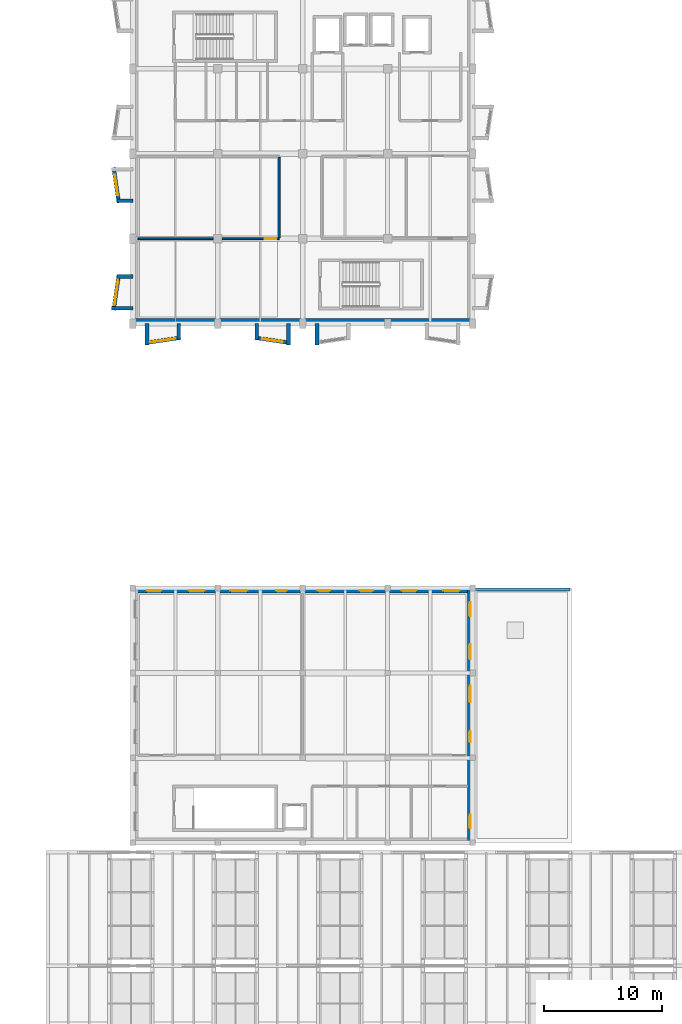
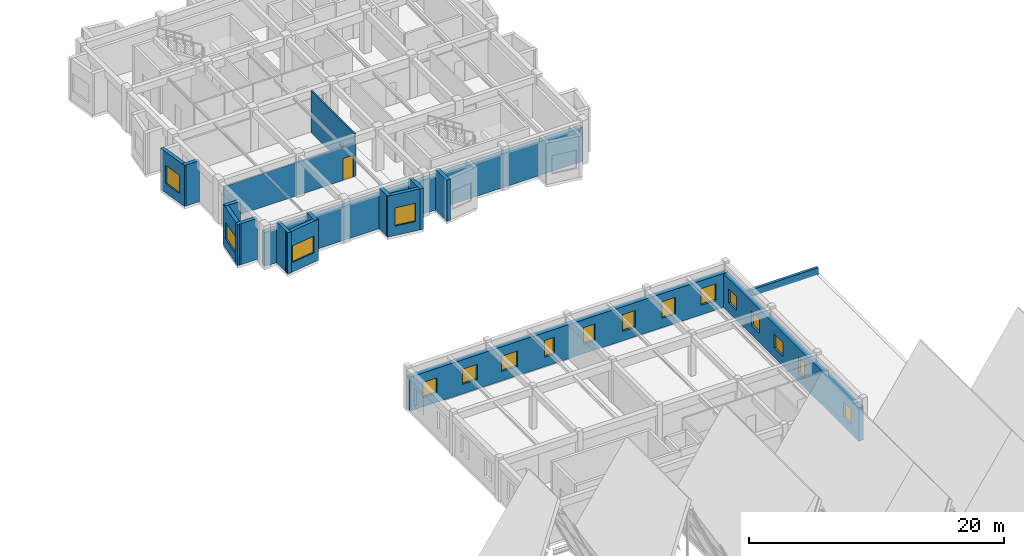
# One storey, part 89 of 99: 18 walls, 17 windows, 1 door, 18 openings.
"""IFC4 building model written with IfcOpenShell, lengths in metres."""

from ifc_helpers import new_model, si_unit, direction, frame, frame_2d, origin, place, context, subcontext, project, spatial, rectangle, extrude, material, layer, layer_set, type_object, element, fill, save


model = new_model("IFC4")

# Units and contexts
model_context = context("Model", 3, precision=1e-05, world=origin(), true_north=direction((0.0, 1.0)))
body_context = subcontext(model_context, "Body", "Model", "MODEL_VIEW")
ifc_project = project(units=[si_unit("LENGTHUNIT", "METRE"), si_unit("AREAUNIT", "SQUARE_METRE"), si_unit("VOLUMEUNIT", "CUBIC_METRE"), si_unit("PLANEANGLEUNIT", "RADIAN"), si_unit("MASSUNIT", "GRAM", prefix="KILO")], contexts=[model_context])

# Site, building, storey
site_placement = place(None, origin())
site = spatial("IfcSite", under=ifc_project, at=site_placement, CompositionType="ELEMENT")
building_placement = place(site_placement, origin())
building = spatial("IfcBuilding", under=site, at=building_placement, Name="Bramveld Media Centre", CompositionType="ELEMENT")
storey_placement = place(building_placement, frame((0.0, 0.0, 13.800048828125)))
storey = spatial("IfcBuildingStorey", under=building, at=storey_placement, Name="L03", CompositionType="ELEMENT", Elevation=13.800048828125)

# Wall, openings, windows
ifc_material_1 = material(Name="Flemish red-brown clay facing brick cavity wall with concrete C35/45 inner leaf", Category="masonry")
ifc_layer_1 = layer(ifc_material_1, 0.419921875)
ifc_layer_set_1 = layer_set([ifc_layer_1], Name="Flemish red-brown clay facing brick cavity wall with concrete C35/45 inner leaf")
wall_type_1 = type_object("IfcWallType", Name="EW-BRK-420", PredefinedType="SOLIDWALL", material=ifc_layer_set_1)
wall_1_placement = place(storey_placement, frame((159.7900390625, 60.800048828125, 0.0), z_axis=(0.0, 0.0, 1.0), x_axis=(0.0, -1.0, 0.0)))
wall_1 = element("IfcWall", 1, at=wall_1_placement, inside=storey, type_object=wall_type_1, Name="V4 L03 E facing brick exterior wall", PredefinedType="SOLIDWALL", context=body_context, shape_type="SweptSolid", body=[
    extrude(rectangle(XDim=21.60009765625, YDim=0.419921875, at=frame_2d((10.800048828125, 0.0))), origin(), (0.0, 0.0, 1.0), 3.21484375),
])
opening_1_placement = place(wall_1_placement, frame((1.199951171875, 0.0, 0.89990234375)))
opening_1 = element("IfcOpeningElement", 2, at=opening_1_placement, cuts=wall_1, Name="Opening W-04", PredefinedType="OPENING", context=body_context, shape_type="SweptSolid", body=[
    extrude(rectangle(XDim=1.199951171875, YDim=1.35009765625, at=frame_2d((0.60009765625, 0.675048828125))), frame((0.0, 0.221923828125, 0.0), z_axis=(0.0, -1.0, 0.0), x_axis=(1.0, 0.0, 0.0)), (0.0, 0.0, 1.0), 0.44384765625),
])
opening_2_placement = place(wall_1_placement, frame((4.75, 0.0, 0.89990234375)))
opening_2 = element("IfcOpeningElement", 3, at=opening_2_placement, cuts=wall_1, Name="Opening W-05", PredefinedType="OPENING", context=body_context, shape_type="SweptSolid", body=[
    extrude(rectangle(XDim=1.300048828125, YDim=1.35009765625, at=frame_2d((0.64990234375, 0.675048828125))), frame((0.0, 0.221923828125, 0.0), z_axis=(0.0, -1.0, 0.0), x_axis=(1.0, 0.0, 0.0)), (0.0, 0.0, 1.0), 0.44384765625),
])
opening_3_placement = place(wall_1_placement, frame((8.300048828125, 0.0, 0.89990234375)))
opening_3 = element("IfcOpeningElement", 4, at=opening_3_placement, cuts=wall_1, Name="Opening W-06", PredefinedType="OPENING", context=body_context, shape_type="SweptSolid", body=[
    extrude(rectangle(XDim=1.39990234375, YDim=1.35009765625, at=frame_2d((0.699951171875, 0.675048828125))), frame((0.0, 0.221923828125, 0.0), z_axis=(0.0, -1.0, 0.0), x_axis=(1.0, 0.0, 0.0)), (0.0, 0.0, 1.0), 0.44384765625),
])
opening_4_placement = place(wall_1_placement, frame((12.125, 0.0, 0.89990234375)))
opening_4 = element("IfcOpeningElement", 5, at=opening_4_placement, cuts=wall_1, Name="Opening W-07", PredefinedType="OPENING", context=body_context, shape_type="SweptSolid", body=[
    extrude(rectangle(XDim=0.949951171875, YDim=1.449951171875, at=frame_2d((0.47509765625, 0.72509765625))), frame((0.0, 0.221923828125, 0.0), z_axis=(0.0, -1.0, 0.0), x_axis=(1.0, 0.0, 0.0)), (0.0, 0.0, 1.0), 0.44384765625),
])
opening_5_placement = place(wall_1_placement, frame((19.22509765625, 0.0, 0.89990234375)))
opening_5 = element("IfcOpeningElement", 6, at=opening_5_placement, cuts=wall_1, Name="Opening W-09", PredefinedType="OPENING", context=body_context, shape_type="SweptSolid", body=[
    extrude(rectangle(XDim=1.14990234375, YDim=1.449951171875, at=frame_2d((0.574951171875, 0.72509765625))), frame((0.0, 0.221923828125, 0.0), z_axis=(0.0, -1.0, 0.0), x_axis=(1.0, 0.0, 0.0)), (0.0, 0.0, 1.0), 0.44384765625),
])
ifc_material_2 = material(Name="Thermally broken anodized bronze aluminium frame with triple acoustic glazing", Category="aluminium")
window_type_1 = type_object("IfcWindowType", Name="WIN-FAC-04", PartitioningType="SINGLE_PANEL", PredefinedType="WINDOW", material=ifc_material_2)
window_1_placement = place(opening_1_placement, origin())
window_1 = element("IfcWindow", 7, at=window_1_placement, inside=storey, type_object=window_type_1, Name="V4 L03 E acoustic facade window", OverallHeight=1.35009765625, OverallWidth=1.199951171875, PartitioningType="SINGLE_PANEL", PredefinedType="WINDOW", context=body_context, shape_type="SweptSolid", body=[
    extrude(rectangle(XDim=1.199951171875, YDim=1.35009765625, at=frame_2d((0.60009765625, 0.675048828125))), frame((0.0, 0.030029296875, 0.0), z_axis=(0.0, -1.0, 0.0), x_axis=(1.0, 0.0, 0.0)), (0.0, 0.0, 1.0), 0.06005859375),
])
fill(opening_1, window_1)
ifc_material_3 = material(Name="Thermally broken anodized bronze aluminium frame with triple acoustic glazing", Category="aluminium")
window_type_2 = type_object("IfcWindowType", Name="WIN-FAC-05", PartitioningType="SINGLE_PANEL", PredefinedType="WINDOW", material=ifc_material_3)
window_2_placement = place(opening_2_placement, origin())
window_2 = element("IfcWindow", 8, at=window_2_placement, inside=storey, type_object=window_type_2, Name="V4 L03 E acoustic facade window", OverallHeight=1.35009765625, OverallWidth=1.300048828125, PartitioningType="SINGLE_PANEL", PredefinedType="WINDOW", context=body_context, shape_type="SweptSolid", body=[
    extrude(rectangle(XDim=1.300048828125, YDim=1.35009765625, at=frame_2d((0.64990234375, 0.675048828125))), frame((0.0, 0.030029296875, 0.0), z_axis=(0.0, -1.0, 0.0), x_axis=(1.0, 0.0, 0.0)), (0.0, 0.0, 1.0), 0.06005859375),
])
fill(opening_2, window_2)
ifc_material_4 = material(Name="Thermally broken anodized bronze aluminium frame with triple acoustic glazing", Category="aluminium")
window_type_3 = type_object("IfcWindowType", Name="WIN-FAC-06", PartitioningType="SINGLE_PANEL", PredefinedType="WINDOW", material=ifc_material_4)
window_3_placement = place(opening_3_placement, origin())
window_3 = element("IfcWindow", 9, at=window_3_placement, inside=storey, type_object=window_type_3, Name="V4 L03 E acoustic facade window", OverallHeight=1.35009765625, OverallWidth=1.39990234375, PartitioningType="SINGLE_PANEL", PredefinedType="WINDOW", context=body_context, shape_type="SweptSolid", body=[
    extrude(rectangle(XDim=1.39990234375, YDim=1.35009765625, at=frame_2d((0.699951171875, 0.675048828125))), frame((0.0, 0.030029296875, 0.0), z_axis=(0.0, -1.0, 0.0), x_axis=(1.0, 0.0, 0.0)), (0.0, 0.0, 1.0), 0.06005859375),
])
fill(opening_3, window_3)
ifc_material_5 = material(Name="Thermally broken anodized bronze aluminium frame with triple acoustic glazing", Category="aluminium")
window_type_4 = type_object("IfcWindowType", Name="WIN-FAC-07", PartitioningType="SINGLE_PANEL", PredefinedType="WINDOW", material=ifc_material_5)
window_4_placement = place(opening_4_placement, origin())
window_4 = element("IfcWindow", 10, at=window_4_placement, inside=storey, type_object=window_type_4, Name="V4 L03 E acoustic facade window", OverallHeight=1.449951171875, OverallWidth=0.949951171875, PartitioningType="SINGLE_PANEL", PredefinedType="WINDOW", context=body_context, shape_type="SweptSolid", body=[
    extrude(rectangle(XDim=0.949951171875, YDim=1.449951171875, at=frame_2d((0.47509765625, 0.72509765625))), frame((0.0, 0.030029296875, 0.0), z_axis=(0.0, -1.0, 0.0), x_axis=(1.0, 0.0, 0.0)), (0.0, 0.0, 1.0), 0.06005859375),
])
fill(opening_4, window_4)
ifc_material_6 = material(Name="Thermally broken anodized bronze aluminium frame with triple acoustic glazing", Category="aluminium")
window_type_5 = type_object("IfcWindowType", Name="WIN-FAC-09", PartitioningType="SINGLE_PANEL", PredefinedType="WINDOW", material=ifc_material_6)
window_5_placement = place(opening_5_placement, origin())
window_5 = element("IfcWindow", 11, at=window_5_placement, inside=storey, type_object=window_type_5, Name="V4 L03 E acoustic facade window", OverallHeight=1.449951171875, OverallWidth=1.14990234375, PartitioningType="SINGLE_PANEL", PredefinedType="WINDOW", context=body_context, shape_type="SweptSolid", body=[
    extrude(rectangle(XDim=1.14990234375, YDim=1.449951171875, at=frame_2d((0.574951171875, 0.72509765625))), frame((0.0, 0.030029296875, 0.0), z_axis=(0.0, -1.0, 0.0), x_axis=(1.0, 0.0, 0.0)), (0.0, 0.0, 1.0), 0.06005859375),
])
fill(opening_5, window_5)

wall_2_placement = place(storey_placement, frame((131.199951171875, 60.590087890625, 0.0), z_axis=(0.0, 0.0, 1.0), x_axis=(1.0, 0.0, 0.0)))
wall_2 = element("IfcWall", 12, at=wall_2_placement, inside=storey, type_object=wall_type_1, Name="V4 L03 N facing brick exterior wall", PredefinedType="SOLIDWALL", context=body_context, shape_type="SweptSolid", body=[
    extrude(rectangle(XDim=28.800048828125, YDim=0.419921875, at=frame_2d((14.39990234375, 0.0))), origin(), (0.0, 0.0, 1.0), 3.2548828125),
])
opening_6_placement = place(wall_2_placement, frame((1.175048828125, 0.0, 0.89990234375)))
opening_6 = element("IfcOpeningElement", 13, at=opening_6_placement, cuts=wall_2, Name="Opening W-10", PredefinedType="OPENING", context=body_context, shape_type="SweptSolid", body=[
    extrude(rectangle(XDim=1.25, YDim=1.449951171875, at=frame_2d((0.625, 0.72509765625))), frame((0.0, 0.221923828125, 0.0), z_axis=(0.0, -1.0, 0.0), x_axis=(1.0, 0.0, 0.0)), (0.0, 0.0, 1.0), 0.44384765625),
])
opening_7_placement = place(wall_2_placement, frame((4.72509765625, 0.0, 0.89990234375)))
opening_7 = element("IfcOpeningElement", 14, at=opening_7_placement, cuts=wall_2, Name="Opening W-11", PredefinedType="OPENING", context=body_context, shape_type="SweptSolid", body=[
    extrude(rectangle(XDim=1.35009765625, YDim=1.449951171875, at=frame_2d((0.675048828125, 0.72509765625))), frame((0.0, 0.221923828125, 0.0), z_axis=(0.0, -1.0, 0.0), x_axis=(1.0, 0.0, 0.0)), (0.0, 0.0, 1.0), 0.44384765625),
])
opening_8_placement = place(wall_2_placement, frame((8.27490234375, 0.0, 0.89990234375)))
opening_8 = element("IfcOpeningElement", 15, at=opening_8_placement, cuts=wall_2, Name="Opening W-12", PredefinedType="OPENING", context=body_context, shape_type="SweptSolid", body=[
    extrude(rectangle(XDim=1.449951171875, YDim=1.449951171875, at=frame_2d((0.72509765625, 0.72509765625))), frame((0.0, 0.221923828125, 0.0), z_axis=(0.0, -1.0, 0.0), x_axis=(1.0, 0.0, 0.0)), (0.0, 0.0, 1.0), 0.44384765625),
])
opening_9_placement = place(wall_2_placement, frame((12.14990234375, 0.0, 0.89990234375)))
opening_9 = element("IfcOpeningElement", 16, at=opening_9_placement, cuts=wall_2, Name="Opening W-13", PredefinedType="OPENING", context=body_context, shape_type="SweptSolid", body=[
    extrude(rectangle(XDim=0.89990234375, YDim=1.60009765625, at=frame_2d((0.449951171875, 0.800048828125))), frame((0.0, 0.221923828125, 0.0), z_axis=(0.0, -1.0, 0.0), x_axis=(1.0, 0.0, 0.0)), (0.0, 0.0, 1.0), 0.44384765625),
])
opening_10_placement = place(wall_2_placement, frame((15.675048828125, 0.0, 0.89990234375)))
opening_10 = element("IfcOpeningElement", 17, at=opening_10_placement, cuts=wall_2, Name="Opening W-14", PredefinedType="OPENING", context=body_context, shape_type="SweptSolid", body=[
    extrude(rectangle(XDim=1.050048828125, YDim=1.60009765625, at=frame_2d((0.52490234375, 0.800048828125))), frame((0.0, 0.221923828125, 0.0), z_axis=(0.0, -1.0, 0.0), x_axis=(1.0, 0.0, 0.0)), (0.0, 0.0, 1.0), 0.44384765625),
])
opening_11_placement = place(wall_2_placement, frame((19.22509765625, 0.0, 0.89990234375)))
opening_11 = element("IfcOpeningElement", 18, at=opening_11_placement, cuts=wall_2, Name="Opening W-15", PredefinedType="OPENING", context=body_context, shape_type="SweptSolid", body=[
    extrude(rectangle(XDim=1.14990234375, YDim=1.60009765625, at=frame_2d((0.574951171875, 0.800048828125))), frame((0.0, 0.221923828125, 0.0), z_axis=(0.0, -1.0, 0.0), x_axis=(1.0, 0.0, 0.0)), (0.0, 0.0, 1.0), 0.44384765625),
])
opening_12_placement = place(wall_2_placement, frame((22.77490234375, 0.0, 0.89990234375)))
opening_12 = element("IfcOpeningElement", 19, at=opening_12_placement, cuts=wall_2, Name="Opening W-16", PredefinedType="OPENING", context=body_context, shape_type="SweptSolid", body=[
    extrude(rectangle(XDim=1.25, YDim=1.60009765625, at=frame_2d((0.625, 0.800048828125))), frame((0.0, 0.221923828125, 0.0), z_axis=(0.0, -1.0, 0.0), x_axis=(1.0, 0.0, 0.0)), (0.0, 0.0, 1.0), 0.44384765625),
])
opening_13_placement = place(wall_2_placement, frame((26.31005859375, 0.0, 0.89990234375)))
opening_13 = element("IfcOpeningElement", 20, at=opening_13_placement, cuts=wall_2, Name="Opening W-17", PredefinedType="OPENING", context=body_context, shape_type="SweptSolid", body=[
    extrude(rectangle(XDim=1.3798828125, YDim=1.60009765625, at=frame_2d((0.68994140625, 0.800048828125))), frame((0.0, 0.221923828125, 0.0), z_axis=(0.0, -1.0, 0.0), x_axis=(1.0, 0.0, 0.0)), (0.0, 0.0, 1.0), 0.44384765625),
])
ifc_material_7 = material(Name="Thermally broken anodized bronze aluminium frame with triple acoustic glazing", Category="aluminium")
window_type_6 = type_object("IfcWindowType", Name="WIN-FAC-10", PartitioningType="SINGLE_PANEL", PredefinedType="WINDOW", material=ifc_material_7)
window_6_placement = place(opening_6_placement, origin())
window_6 = element("IfcWindow", 21, at=window_6_placement, inside=storey, type_object=window_type_6, Name="V4 L03 N acoustic facade window", OverallHeight=1.449951171875, OverallWidth=1.25, PartitioningType="SINGLE_PANEL", PredefinedType="WINDOW", context=body_context, shape_type="SweptSolid", body=[
    extrude(rectangle(XDim=1.25, YDim=1.449951171875, at=frame_2d((0.625, 0.72509765625))), frame((0.0, 0.030029296875, 0.0), z_axis=(0.0, -1.0, 0.0), x_axis=(1.0, 0.0, 0.0)), (0.0, 0.0, 1.0), 0.06005859375),
])
fill(opening_6, window_6)
ifc_material_8 = material(Name="Thermally broken anodized bronze aluminium frame with triple acoustic glazing", Category="aluminium")
window_type_7 = type_object("IfcWindowType", Name="WIN-FAC-11", PartitioningType="SINGLE_PANEL", PredefinedType="WINDOW", material=ifc_material_8)
window_7_placement = place(opening_7_placement, origin())
window_7 = element("IfcWindow", 22, at=window_7_placement, inside=storey, type_object=window_type_7, Name="V4 L03 N acoustic facade window", OverallHeight=1.449951171875, OverallWidth=1.35009765625, PartitioningType="SINGLE_PANEL", PredefinedType="WINDOW", context=body_context, shape_type="SweptSolid", body=[
    extrude(rectangle(XDim=1.35009765625, YDim=1.449951171875, at=frame_2d((0.675048828125, 0.72509765625))), frame((0.0, 0.030029296875, 0.0), z_axis=(0.0, -1.0, 0.0), x_axis=(1.0, 0.0, 0.0)), (0.0, 0.0, 1.0), 0.06005859375),
])
fill(opening_7, window_7)
ifc_material_9 = material(Name="Thermally broken anodized bronze aluminium frame with triple acoustic glazing", Category="aluminium")
window_type_8 = type_object("IfcWindowType", Name="WIN-FAC-12", PartitioningType="SINGLE_PANEL", PredefinedType="WINDOW", material=ifc_material_9)
window_8_placement = place(opening_8_placement, origin())
window_8 = element("IfcWindow", 23, at=window_8_placement, inside=storey, type_object=window_type_8, Name="V4 L03 N acoustic facade window", OverallHeight=1.449951171875, OverallWidth=1.449951171875, PartitioningType="SINGLE_PANEL", PredefinedType="WINDOW", context=body_context, shape_type="SweptSolid", body=[
    extrude(rectangle(XDim=1.449951171875, YDim=1.449951171875, at=frame_2d((0.72509765625, 0.72509765625))), frame((0.0, 0.030029296875, 0.0), z_axis=(0.0, -1.0, 0.0), x_axis=(1.0, 0.0, 0.0)), (0.0, 0.0, 1.0), 0.06005859375),
])
fill(opening_8, window_8)
ifc_material_10 = material(Name="Thermally broken anodized bronze aluminium frame with triple acoustic glazing", Category="aluminium")
window_type_9 = type_object("IfcWindowType", Name="WIN-FAC-13", PartitioningType="SINGLE_PANEL", PredefinedType="WINDOW", material=ifc_material_10)
window_9_placement = place(opening_9_placement, origin())
window_9 = element("IfcWindow", 24, at=window_9_placement, inside=storey, type_object=window_type_9, Name="V4 L03 N acoustic facade window", OverallHeight=1.60009765625, OverallWidth=0.89990234375, PartitioningType="SINGLE_PANEL", PredefinedType="WINDOW", context=body_context, shape_type="SweptSolid", body=[
    extrude(rectangle(XDim=0.89990234375, YDim=1.60009765625, at=frame_2d((0.449951171875, 0.800048828125))), frame((0.0, 0.030029296875, 0.0), z_axis=(0.0, -1.0, 0.0), x_axis=(1.0, 0.0, 0.0)), (0.0, 0.0, 1.0), 0.06005859375),
])
fill(opening_9, window_9)
ifc_material_11 = material(Name="Thermally broken anodized bronze aluminium frame with triple acoustic glazing", Category="aluminium")
window_type_10 = type_object("IfcWindowType", Name="WIN-FAC-14", PartitioningType="SINGLE_PANEL", PredefinedType="WINDOW", material=ifc_material_11)
window_10_placement = place(opening_10_placement, origin())
window_10 = element("IfcWindow", 25, at=window_10_placement, inside=storey, type_object=window_type_10, Name="V4 L03 N acoustic facade window", OverallHeight=1.60009765625, OverallWidth=1.050048828125, PartitioningType="SINGLE_PANEL", PredefinedType="WINDOW", context=body_context, shape_type="SweptSolid", body=[
    extrude(rectangle(XDim=1.050048828125, YDim=1.60009765625, at=frame_2d((0.52490234375, 0.800048828125))), frame((0.0, 0.030029296875, 0.0), z_axis=(0.0, -1.0, 0.0), x_axis=(1.0, 0.0, 0.0)), (0.0, 0.0, 1.0), 0.06005859375),
])
fill(opening_10, window_10)
ifc_material_12 = material(Name="Thermally broken anodized bronze aluminium frame with triple acoustic glazing", Category="aluminium")
window_type_11 = type_object("IfcWindowType", Name="WIN-FAC-15", PartitioningType="SINGLE_PANEL", PredefinedType="WINDOW", material=ifc_material_12)
window_11_placement = place(opening_11_placement, origin())
window_11 = element("IfcWindow", 26, at=window_11_placement, inside=storey, type_object=window_type_11, Name="V4 L03 N acoustic facade window", OverallHeight=1.60009765625, OverallWidth=1.14990234375, PartitioningType="SINGLE_PANEL", PredefinedType="WINDOW", context=body_context, shape_type="SweptSolid", body=[
    extrude(rectangle(XDim=1.14990234375, YDim=1.60009765625, at=frame_2d((0.574951171875, 0.800048828125))), frame((0.0, 0.030029296875, 0.0), z_axis=(0.0, -1.0, 0.0), x_axis=(1.0, 0.0, 0.0)), (0.0, 0.0, 1.0), 0.06005859375),
])
fill(opening_11, window_11)
ifc_material_13 = material(Name="Thermally broken anodized bronze aluminium frame with triple acoustic glazing", Category="aluminium")
window_type_12 = type_object("IfcWindowType", Name="WIN-FAC-16", PartitioningType="SINGLE_PANEL", PredefinedType="WINDOW", material=ifc_material_13)
window_12_placement = place(opening_12_placement, origin())
window_12 = element("IfcWindow", 27, at=window_12_placement, inside=storey, type_object=window_type_12, Name="V4 L03 N acoustic facade window", OverallHeight=1.60009765625, OverallWidth=1.25, PartitioningType="SINGLE_PANEL", PredefinedType="WINDOW", context=body_context, shape_type="SweptSolid", body=[
    extrude(rectangle(XDim=1.25, YDim=1.60009765625, at=frame_2d((0.625, 0.800048828125))), frame((0.0, 0.030029296875, 0.0), z_axis=(0.0, -1.0, 0.0), x_axis=(1.0, 0.0, 0.0)), (0.0, 0.0, 1.0), 0.06005859375),
])
fill(opening_12, window_12)
ifc_material_14 = material(Name="Thermally broken anodized bronze aluminium frame with triple acoustic glazing", Category="aluminium")
window_type_13 = type_object("IfcWindowType", Name="WIN-FAC-17", PartitioningType="SINGLE_PANEL", PredefinedType="WINDOW", material=ifc_material_14)
window_13_placement = place(opening_13_placement, origin())
window_13 = element("IfcWindow", 28, at=window_13_placement, inside=storey, type_object=window_type_13, Name="V4 L03 N acoustic facade window", OverallHeight=1.60009765625, OverallWidth=1.3798828125, PartitioningType="SINGLE_PANEL", PredefinedType="WINDOW", context=body_context, shape_type="SweptSolid", body=[
    extrude(rectangle(XDim=1.3798828125, YDim=1.60009765625, at=frame_2d((0.68994140625, 0.800048828125))), frame((0.0, 0.030029296875, 0.0), z_axis=(0.0, -1.0, 0.0), x_axis=(1.0, 0.0, 0.0)), (0.0, 0.0, 1.0), 0.06005859375),
])
fill(opening_13, window_13)

# Wall
wall_3_placement = place(storey_placement, frame((160.0, 83.409912109375, 0.0), z_axis=(0.0, 0.0, 1.0), x_axis=(-1.0, 0.0, 0.0)))
element("IfcWall", 29, at=wall_3_placement, inside=storey, type_object=wall_type_1, Name="V7 L03 S facing brick exterior wall", PredefinedType="SOLIDWALL", context=body_context, shape_type="SweptSolid", body=[
    extrude(rectangle(XDim=28.800048828125, YDim=0.419921875, at=frame_2d((14.39990234375, 0.0))), origin(), (0.0, 0.0, 1.0), 3.244873046875),
])

# Wall, opening, window
ifc_material_15 = material(Name="Precast concrete C40/50 & brick-slip faceted bay cheek wall", Category="masonry")
ifc_layer_2 = layer(ifc_material_15, 0.320068359375)
ifc_layer_set_2 = layer_set([ifc_layer_2], Name="Precast concrete C40/50 & brick-slip faceted bay cheek wall")
wall_type_2 = type_object("IfcWallType", Name="EW-FACET-320", PredefinedType="SOLIDWALL", material=ifc_layer_set_2)
wall_4_placement = place(storey_placement, frame((132.25, 81.56689453125, 0.0), z_axis=(0.0, 0.0, 1.0), x_axis=(0.989266910268, 0.146119746268, 0.0)))
wall_4 = element("IfcWall", 30, at=wall_4_placement, inside=storey, type_object=wall_type_2, Name="V7 L03 S angled faceted bay front wall 1", PredefinedType="SOLIDWALL", context=body_context, shape_type="SweptSolid", body=[
    extrude(rectangle(XDim=3.032470703125, YDim=0.320068359375, at=frame_2d((1.51611328125, 0.0))), origin(), (0.0, 0.0, 1.0), 3.929931640625),
])
opening_14_placement = place(wall_4_placement, frame((0.44140625, 0.0, 0.89990234375)))
opening_14 = element("IfcOpeningElement", 31, at=opening_14_placement, cuts=wall_4, Name="Opening W-32", PredefinedType="OPENING", context=body_context, shape_type="SweptSolid", body=[
    extrude(rectangle(XDim=2.14990234375, YDim=1.60009765625, at=frame_2d((1.074951171875, 0.800048828125))), frame((0.0, 0.171875, 0.0), z_axis=(0.0, -1.0, 0.0), x_axis=(1.0, 0.0, 0.0)), (0.0, 0.0, 1.0), 0.343994140625),
])
ifc_material_16 = material(Name="Thermally broken anodized bronze aluminium frame with triple acoustic glazing", Category="aluminium")
window_type_14 = type_object("IfcWindowType", Name="WIN-FAC-32", PartitioningType="SINGLE_PANEL", PredefinedType="WINDOW", material=ifc_material_16)
window_14_placement = place(opening_14_placement, origin())
window_14 = element("IfcWindow", 32, at=window_14_placement, inside=storey, type_object=window_type_14, Name="V7 L03 S faceted bay window 1", OverallHeight=1.60009765625, OverallWidth=2.14990234375, PartitioningType="SINGLE_PANEL", PredefinedType="WINDOW", context=body_context, shape_type="SweptSolid", body=[
    extrude(rectangle(XDim=2.14990234375, YDim=1.60009765625, at=frame_2d((1.074951171875, 0.800048828125))), frame((0.0, 0.030029296875, 0.0), z_axis=(0.0, -1.0, 0.0), x_axis=(1.0, 0.0, 0.0)), (0.0, 0.0, 1.0), 0.06005859375),
])
fill(opening_14, window_14)

# Walls
wall_5_placement = place(storey_placement, frame((132.409912109375, 83.199951171875, 0.0), z_axis=(0.0, 0.0, 1.0), x_axis=(0.0, -1.0, 0.0)))
element("IfcWall", 33, at=wall_5_placement, inside=storey, type_object=wall_type_2, Name="V7 L03 S faceted bay cheek wall", PredefinedType="SOLIDWALL", context=body_context, shape_type="SweptSolid", body=[
    extrude(rectangle(XDim=1.79296875, YDim=0.320068359375, at=frame_2d((0.896484375, 0.0))), origin(), (0.0, 0.0, 1.0), 3.929931640625),
])
wall_6_placement = place(storey_placement, frame((135.090087890625, 83.199951171875, 0.0), z_axis=(0.0, 0.0, 1.0), x_axis=(0.0, -1.0, 0.0)))
element("IfcWall", 34, at=wall_6_placement, inside=storey, type_object=wall_type_2, Name="V7 L03 S faceted bay cheek wall", PredefinedType="SOLIDWALL", context=body_context, shape_type="SweptSolid", body=[
    extrude(rectangle(XDim=1.349853515625, YDim=0.320068359375, at=frame_2d((0.6748046875, 0.0))), origin(), (0.0, 0.0, 1.0), 3.929931640625),
])

# Wall, opening, window
wall_7_placement = place(storey_placement, frame((141.550048828125, 82.010009765625, 0.0), z_axis=(0.0, 0.0, 1.0), x_axis=(0.989266910268, -0.146119746268, 0.0)))
wall_7 = element("IfcWall", 35, at=wall_7_placement, inside=storey, type_object=wall_type_2, Name="V7 L03 S angled faceted bay front wall 2", PredefinedType="SOLIDWALL", context=body_context, shape_type="SweptSolid", body=[
    extrude(rectangle(XDim=3.032470703125, YDim=0.320068359375, at=frame_2d((1.51611328125, 0.0))), origin(), (0.0, 0.0, 1.0), 3.929931640625),
])
opening_15_placement = place(wall_7_placement, frame((0.641357421875, 0.0, 0.89990234375)))
opening_15 = element("IfcOpeningElement", 36, at=opening_15_placement, cuts=wall_7, Name="Opening W-33", PredefinedType="OPENING", context=body_context, shape_type="SweptSolid", body=[
    extrude(rectangle(XDim=1.75, YDim=1.75, at=frame_2d((0.875, 0.875))), frame((0.0, 0.171875, 0.0), z_axis=(0.0, -1.0, 0.0), x_axis=(1.0, 0.0, 0.0)), (0.0, 0.0, 1.0), 0.343994140625),
])
ifc_material_17 = material(Name="Thermally broken anodized bronze aluminium frame with triple acoustic glazing", Category="aluminium")
window_type_15 = type_object("IfcWindowType", Name="WIN-FAC-33", PartitioningType="SINGLE_PANEL", PredefinedType="WINDOW", material=ifc_material_17)
window_15_placement = place(opening_15_placement, origin())
window_15 = element("IfcWindow", 37, at=window_15_placement, inside=storey, type_object=window_type_15, Name="V7 L03 S faceted bay window 2", OverallHeight=1.75, OverallWidth=1.75, PartitioningType="SINGLE_PANEL", PredefinedType="WINDOW", context=body_context, shape_type="SweptSolid", body=[
    extrude(rectangle(XDim=1.75, YDim=1.75, at=frame_2d((0.875, 0.875))), frame((0.0, 0.030029296875, 0.0), z_axis=(0.0, -1.0, 0.0), x_axis=(1.0, 0.0, 0.0)), (0.0, 0.0, 1.0), 0.06005859375),
])
fill(opening_15, window_15)

# Walls
wall_8_placement = place(storey_placement, frame((141.7099609375, 83.199951171875, 0.0), z_axis=(0.0, 0.0, 1.0), x_axis=(0.0, -1.0, 0.0)))
element("IfcWall", 38, at=wall_8_placement, inside=storey, type_object=wall_type_2, Name="V7 L03 S faceted bay cheek wall", PredefinedType="SOLIDWALL", context=body_context, shape_type="SweptSolid", body=[
    extrude(rectangle(XDim=1.349853515625, YDim=0.320068359375, at=frame_2d((0.6748046875, 0.0))), origin(), (0.0, 0.0, 1.0), 3.929931640625),
])
for number, where, z_axis, x_axis, name in (
    (39, (144.389892578125, 83.199951171875, 0.0), (0.0, 0.0, 1.0), (0.0, -1.0, 0.0), "V7 L03 S faceted bay cheek wall"),
    (40, (146.81005859375, 83.199951171875, 0.0), (0.0, 0.0, 1.0), (0.0, -1.0, 0.0), "V7 L03 S faceted bay cheek wall"),
):
    element("IfcWall", number, at=place(storey_placement, frame(where, z_axis=z_axis, x_axis=x_axis)), inside=storey, type_object=wall_type_2, Name=name, PredefinedType="SOLIDWALL", context=body_context, shape_type="SweptSolid", body=[
        extrude(rectangle(XDim=1.79296875, YDim=0.320068359375, at=frame_2d((0.896484375, 0.0))), origin(), (0.0, 0.0, 1.0), 3.929931640625),
    ])

# Wall, opening, window
wall_9_placement = place(storey_placement, frame((130.010009765625, 87.35009765625, 0.0), z_axis=(0.0, 0.0, 1.0), x_axis=(-0.146119746268, -0.989266910268, 0.0)))
wall_9 = element("IfcWall", 41, at=wall_9_placement, inside=storey, type_object=wall_type_2, Name="V7 L03 W angled faceted bay front wall 1", PredefinedType="SOLIDWALL", context=body_context, shape_type="SweptSolid", body=[
    extrude(rectangle(XDim=3.032470703125, YDim=0.320068359375, at=frame_2d((1.51611328125, 0.0))), origin(), (0.0, 0.0, 1.0), 3.929931640625),
])
opening_16_placement = place(wall_9_placement, frame((0.44140625, 0.0, 0.89990234375)))
opening_16 = element("IfcOpeningElement", 42, at=opening_16_placement, cuts=wall_9, Name="Opening W-32", PredefinedType="OPENING", context=body_context, shape_type="SweptSolid", body=[
    extrude(rectangle(XDim=2.14990234375, YDim=1.60009765625, at=frame_2d((1.074951171875, 0.800048828125))), frame((0.0, 0.171875, 0.0), z_axis=(0.0, -1.0, 0.0), x_axis=(1.0, 0.0, 0.0)), (0.0, 0.0, 1.0), 0.343994140625),
])
window_16_placement = place(opening_16_placement, origin())
window_16 = element("IfcWindow", 43, at=window_16_placement, inside=storey, type_object=window_type_14, Name="V7 L03 W faceted bay window 1", OverallHeight=1.60009765625, OverallWidth=2.14990234375, PartitioningType="SINGLE_PANEL", PredefinedType="WINDOW", context=body_context, shape_type="SweptSolid", body=[
    extrude(rectangle(XDim=2.14990234375, YDim=1.60009765625, at=frame_2d((1.074951171875, 0.800048828125))), frame((0.0, 0.030029296875, 0.0), z_axis=(0.0, -1.0, 0.0), x_axis=(1.0, 0.0, 0.0)), (0.0, 0.0, 1.0), 0.06005859375),
])
fill(opening_16, window_16)

# Walls
wall_10_placement = place(storey_placement, frame((131.199951171875, 84.510009765625, 0.0), z_axis=(0.0, 0.0, 1.0), x_axis=(-1.0, 0.0, 0.0)))
element("IfcWall", 44, at=wall_10_placement, inside=storey, type_object=wall_type_2, Name="V7 L03 W faceted bay cheek wall", PredefinedType="SOLIDWALL", context=body_context, shape_type="SweptSolid", body=[
    extrude(rectangle(XDim=1.79296875, YDim=0.320068359375, at=frame_2d((0.896484375, 0.0))), origin(), (0.0, 0.0, 1.0), 3.929931640625),
])
wall_11_placement = place(storey_placement, frame((131.199951171875, 87.18994140625, 0.0), z_axis=(0.0, 0.0, 1.0), x_axis=(-1.0, 0.0, 0.0)))
element("IfcWall", 45, at=wall_11_placement, inside=storey, type_object=wall_type_2, Name="V7 L03 W faceted bay cheek wall", PredefinedType="SOLIDWALL", context=body_context, shape_type="SweptSolid", body=[
    extrude(rectangle(XDim=1.349853515625, YDim=0.320068359375, at=frame_2d((0.6748046875, 0.0))), origin(), (0.0, 0.0, 1.0), 3.929931640625),
])

# Wall, opening, window
wall_12_placement = place(storey_placement, frame((129.56689453125, 96.449951171875, 0.0), z_axis=(0.0, 0.0, 1.0), x_axis=(0.146119746268, -0.989266910268, 0.0)))
wall_12 = element("IfcWall", 46, at=wall_12_placement, inside=storey, type_object=wall_type_2, Name="V7 L03 W angled faceted bay front wall 2", PredefinedType="SOLIDWALL", context=body_context, shape_type="SweptSolid", body=[
    extrude(rectangle(XDim=3.032470703125, YDim=0.320068359375, at=frame_2d((1.51611328125, 0.0))), origin(), (0.0, 0.0, 1.0), 3.929931640625),
])
opening_17_placement = place(wall_12_placement, frame((0.641357421875, 0.0, 0.89990234375)))
opening_17 = element("IfcOpeningElement", 47, at=opening_17_placement, cuts=wall_12, Name="Opening W-33", PredefinedType="OPENING", context=body_context, shape_type="SweptSolid", body=[
    extrude(rectangle(XDim=1.75, YDim=1.75, at=frame_2d((0.875, 0.875))), frame((0.0, 0.171875, 0.0), z_axis=(0.0, -1.0, 0.0), x_axis=(1.0, 0.0, 0.0)), (0.0, 0.0, 1.0), 0.343994140625),
])
window_17_placement = place(opening_17_placement, origin())
window_17 = element("IfcWindow", 48, at=window_17_placement, inside=storey, type_object=window_type_15, Name="V7 L03 W faceted bay window 2", OverallHeight=1.75, OverallWidth=1.75, PartitioningType="SINGLE_PANEL", PredefinedType="WINDOW", context=body_context, shape_type="SweptSolid", body=[
    extrude(rectangle(XDim=1.75, YDim=1.75, at=frame_2d((0.875, 0.875))), frame((0.0, 0.030029296875, 0.0), z_axis=(0.0, -1.0, 0.0), x_axis=(1.0, 0.0, 0.0)), (0.0, 0.0, 1.0), 0.06005859375),
])
fill(opening_17, window_17)

# Wall
wall_13_placement = place(storey_placement, frame((131.199951171875, 93.610107421875, 0.0), z_axis=(0.0, 0.0, 1.0), x_axis=(-1.0, 0.0, 0.0)))
element("IfcWall", 49, at=wall_13_placement, inside=storey, type_object=wall_type_2, Name="V7 L03 W faceted bay cheek wall", PredefinedType="SOLIDWALL", context=body_context, shape_type="SweptSolid", body=[
    extrude(rectangle(XDim=1.349853515625, YDim=0.320068359375, at=frame_2d((0.6748046875, 0.0))), origin(), (0.0, 0.0, 1.0), 3.929931640625),
])

# Wall, opening, door
ifc_material_18 = material(Name="Insulated metal-stud gypsum room partition", Category="gypsum")
ifc_layer_3 = layer(ifc_material_18, 0.14990234375)
ifc_layer_set_3 = layer_set([ifc_layer_3], Name="Insulated metal-stud gypsum room partition")
wall_type_3 = type_object("IfcWallType", Name="IW-PART-150", PredefinedType="PARTITIONING", material=ifc_layer_set_3)
wall_14_placement = place(storey_placement, frame((131.6298828125, 90.39990234375, 0.0), z_axis=(0.0, 0.0, 1.0), x_axis=(1.0, 0.0, 0.0)))
wall_14 = element("IfcWall", 50, at=wall_14_placement, inside=storey, type_object=wall_type_3, Name="Brussels Regional Media Incubator partition wall", PredefinedType="PARTITIONING", context=body_context, shape_type="SweptSolid", body=[
    extrude(rectangle(XDim=11.97021484375, YDim=0.14990234375, at=frame_2d((5.985107421875, 0.0))), origin(), (0.0, 0.0, 1.0), 3.175048828125),
])
opening_18_placement = place(wall_14_placement, frame((10.760009765625, 0.0, 0.0)))
opening_18 = element("IfcOpeningElement", 51, at=opening_18_placement, cuts=wall_14, Name="Opening D-03-166", PredefinedType="OPENING", context=body_context, shape_type="SweptSolid", body=[
    extrude(rectangle(XDim=0.9599609375, YDim=2.10009765625, at=frame_2d((0.47998046875, 1.050048828125))), frame((0.0, 0.0869140625, 0.0), z_axis=(0.0, -1.0, 0.0), x_axis=(1.0, 0.0, 0.0)), (0.0, 0.0, 1.0), 0.173828125),
])
ifc_material_19 = material(Name="Solid-core European oak acoustic timber leaf in steel frame", Category="steel")
door_type = type_object("IfcDoorType", Name="DR-RM-0960", OperationType="NOTDEFINED", PredefinedType="DOOR", material=ifc_material_19)
door_placement = place(opening_18_placement, origin())
door = element("IfcDoor", 52, at=door_placement, inside=storey, type_object=door_type, Name="Brussels Regional Media Incubator entrance door", OperationType="SINGLE_SWING_RIGHT", OverallHeight=2.10009765625, OverallWidth=0.9599609375, PredefinedType="DOOR", context=body_context, shape_type="SweptSolid", body=[
    extrude(rectangle(XDim=0.9599609375, YDim=2.10009765625, at=frame_2d((0.47998046875, 1.050048828125))), frame((0.0, 0.02490234375, 0.0), z_axis=(0.0, -1.0, 0.0), x_axis=(1.0, 0.0, 0.0)), (0.0, 0.0, 1.0), 0.050048828125),
])
fill(opening_18, door)

# Walls
wall_15_placement = place(storey_placement, frame((143.60009765625, 90.485107421875, 0.0), z_axis=(0.0, 0.0, 1.0), x_axis=(0.0, 1.0, 0.0)))
element("IfcWall", 53, at=wall_15_placement, inside=storey, type_object=wall_type_3, Name="Brussels Regional Media Incubator partition wall", PredefinedType="PARTITIONING", context=body_context, shape_type="SweptSolid", body=[
    extrude(rectangle(XDim=6.829833984375, YDim=0.14990234375, at=frame_2d((3.4150390625, 0.0))), origin(), (0.0, 0.0, 1.0), 3.949951171875),
])
ifc_material_20 = material(Name="Precast concrete C40/50 capped brick roof parapet", Category="masonry")
ifc_layer_4 = layer(ifc_material_20, 0.239990234375)
ifc_layer_set_4 = layer_set([ifc_layer_4], Name="Precast concrete C40/50 capped brick roof parapet")
wall_type_4 = type_object("IfcWallType", Name="PARAPET-240", PredefinedType="PARAPET", material=ifc_layer_set_4)
wall_16_placement = place(storey_placement, frame((160.14990234375, 60.679931640625, 0.0), z_axis=(0.0, 0.0, 1.0), x_axis=(1.0, 0.0, 0.0)))
element("IfcWall", 54, at=wall_16_placement, inside=storey, type_object=wall_type_4, Name="V4 L03 roof parapet upstand", PredefinedType="PARAPET", context=body_context, shape_type="SweptSolid", body=[
    extrude(rectangle(XDim=8.10009765625, YDim=0.239990234375, at=frame_2d((4.050048828125, 0.0))), origin(), (0.0, 0.0, 1.0), 0.64990234375),
])

save(model, "model.ifc")
